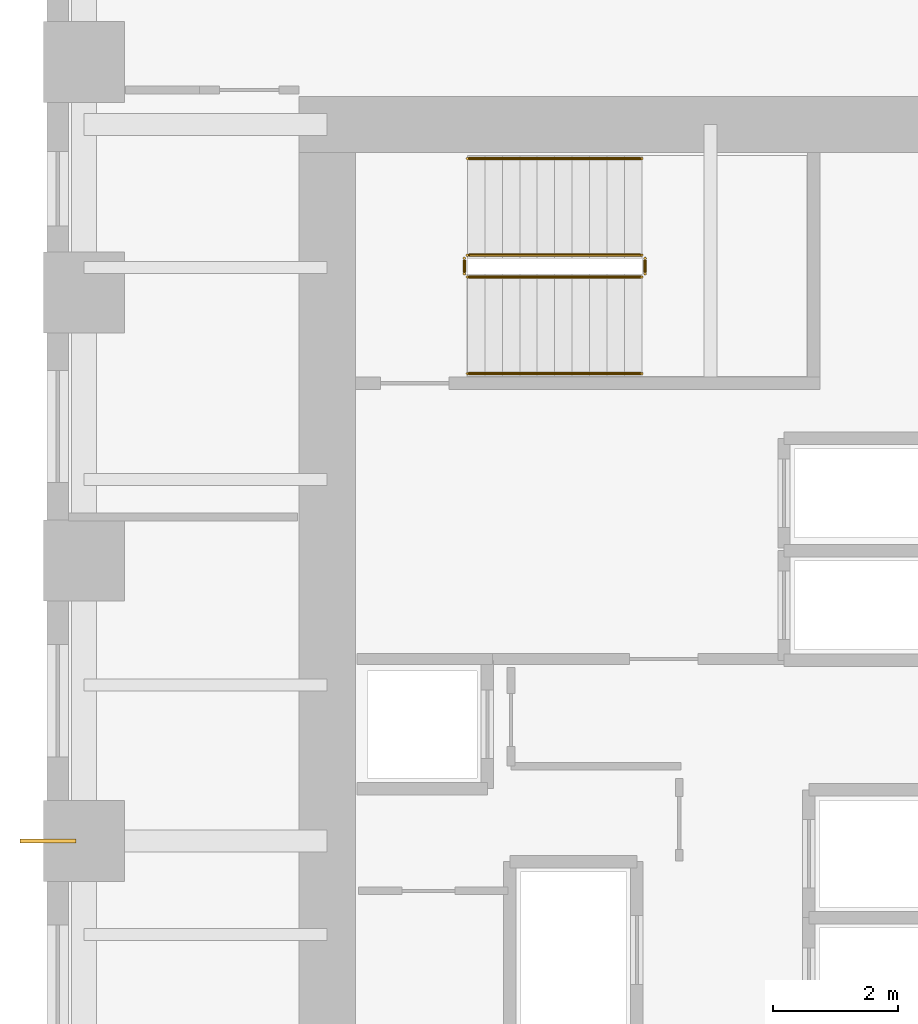
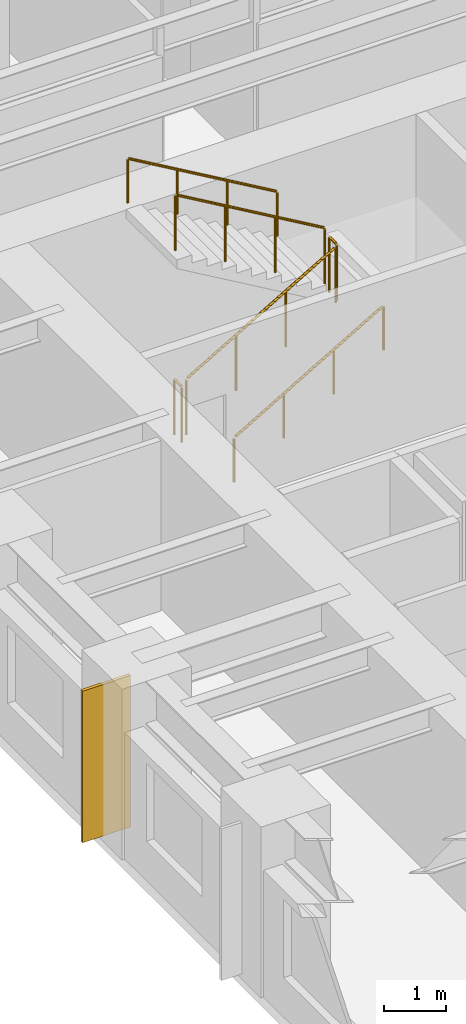
# One storey, part 11 of 12: 6 railings, 1 covering.
"""IFC4 building model written with IfcOpenShell, lengths in metres."""

from ifc_helpers import new_model, si_unit, direction, frame, origin, origin_2d, place, context, subcontext, project, spatial, rectangle, circle, extrude, source, transform, mapped, material, layer, layer_set, type_object, element, save


model = new_model("IFC4")

# Units and contexts
model_context = context("Model", 3, precision=1e-05, world=origin(), true_north=direction((0.0, 1.0)))
body_context = subcontext(model_context, "Body", "Model", "MODEL_VIEW")
ifc_project = project(units=[si_unit("LENGTHUNIT", "METRE"), si_unit("AREAUNIT", "SQUARE_METRE"), si_unit("VOLUMEUNIT", "CUBIC_METRE"), si_unit("PLANEANGLEUNIT", "RADIAN"), si_unit("MASSUNIT", "GRAM", prefix="KILO")], contexts=[model_context])

# Site, building, storey
site_placement = place(None, origin())
site = spatial("IfcSite", under=ifc_project, at=site_placement, CompositionType="ELEMENT")
building_placement = place(site_placement, origin())
building = spatial("IfcBuilding", under=site, at=building_placement, Name="Kharzan Plaza Tower", CompositionType="ELEMENT")
storey_placement = place(building_placement, frame((0.0, 0.0, 33.300048828125)))
storey = spatial("IfcBuildingStorey", under=building, at=storey_placement, Name="L08", CompositionType="ELEMENT", Elevation=33.300048828125)

# Railings
ifc_material_1 = material(Name="Painted Galvanized Architectural Steel", Category="steel")
ifc_layer_1 = layer(ifc_material_1, 0.074951171875)
ifc_layer_set_1 = layer_set([ifc_layer_1], Name="Painted Galvanized Architectural Steel")
railing_type_1 = type_object("IfcRailingType", Name="RL-GUARD-1120", PredefinedType="BALUSTRADE", material=ifc_layer_set_1)
shared_shape_1 = source(origin(), body_context, "Body", "SweptSolid", [
    extrude(circle(Radius=0.02392578125, at=origin_2d()), frame((0.0, 0.0263671875, 1.09619140625), z_axis=(0.0, 1.0, 0.0), x_axis=(-1.0, 0.0, 0.0)), (0.0, 0.0, 1.0), 0.197021484375),
    extrude(circle(Radius=0.02099609375, at=origin_2d()), origin(), (0.0, 0.0, 1.0), 1.072021484375),
    extrude(circle(Radius=0.02099609375, at=origin_2d()), frame((0.0, 0.25, 0.0)), (0.0, 0.0, 1.0), 1.072021484375),
])
for number, where, name in (
    (1, (9.60009765625, 27.10009765625, 1.800048828125), "L08 ST-2 stair guard 2"),
    (2, (6.699951171875, 27.10009765625, 0.0), "L08 ST-2 stair guard 4"),
):
    element("IfcRailing", number, at=place(storey_placement, frame(where)), inside=storey, type_object=railing_type_1, Name=name, PredefinedType="BALUSTRADE", context=body_context, shape_type="MappedRepresentation", body=[
        mapped(shared_shape_1, transform((0.0, 0.0, 0.0), x_axis=(1.0, 0.0, 0.0), y_axis=(0.0, 1.0, 0.0), z_axis=(0.0, 0.0, 1.0))),
    ])

# Covering
ifc_material_2 = material(Name="Honed Riyadh Limestone", Category="masonry")
ifc_layer_2 = layer(ifc_material_2, 0.06005859375)
ifc_layer_set_2 = layer_set([ifc_layer_2], Name="Honed Riyadh Limestone")
covering_type = type_object("IfcCoveringType", Name="COV-CLAD-STONE", PredefinedType="CLADDING", material=ifc_layer_set_2)
shared_shape_2 = source(origin(), body_context, "Body", "SweptSolid", [
    extrude(rectangle(XDim=0.06005859375, YDim=0.89990234375, at=origin_2d()), origin(), (0.0, 0.0, 1.0), 3.0),
])
covering_placement = place(storey_placement, frame((0.02001953125, 18.0, 0.099853515625), z_axis=(0.0, 0.0, 1.0), x_axis=(0.0, 1.0, 0.0)))
element("IfcCovering", 3, at=covering_placement, inside=storey, type_object=covering_type, Name="L08 Limestone Pier Rainscreen Cladding TCW-180", PredefinedType="CLADDING", context=body_context, shape_type="MappedRepresentation", body=[
    mapped(shared_shape_2, transform((0.0, 0.0, 0.0), x_axis=(1.0, 0.0, 0.0), y_axis=(0.0, 1.0, 0.0), z_axis=(0.0, 0.0, 1.0))),
])

# Railings
shared_shape_3 = source(origin(), body_context, "Body", "SweptSolid", [
    extrude(circle(Radius=0.02392578125, at=origin_2d()), frame((0.02294921875, 0.0, 1.109375), z_axis=(0.863360870873, 0.0, 0.504586966384), x_axis=(0.0, 1.0, 0.0)), (0.0, 0.0, 1.0), 3.190185546875),
    extrude(circle(Radius=0.02099609375, at=origin_2d()), origin(), (0.0, 0.0, 1.0), 1.072021484375),
    extrude(circle(Radius=0.02099609375, at=origin_2d()), frame((0.933349609375, 0.0, 0.54541015625)), (0.0, 0.0, 1.0), 1.072021484375),
    extrude(circle(Radius=0.02099609375, at=origin_2d()), frame((1.86669921875, 0.0, 1.091064453125)), (0.0, 0.0, 1.0), 1.072021484375),
    extrude(circle(Radius=0.02099609375, at=origin_2d()), frame((2.800048828125, 0.0, 1.636474609375)), (0.0, 0.0, 1.0), 1.072021484375),
])
railing_1_placement = place(storey_placement, frame((6.75, 27.050048828125, 0.16357421875)))
element("IfcRailing", 4, at=railing_1_placement, inside=storey, type_object=railing_type_1, Name="L08 ST-2 stair guard 1", PredefinedType="BALUSTRADE", context=body_context, shape_type="MappedRepresentation", body=[
    mapped(shared_shape_3, transform((0.0, 0.0, 0.0), x_axis=(1.0, 0.0, 0.0), y_axis=(0.0, 1.0, 0.0), z_axis=(0.0, 0.0, 1.0))),
])
ifc_material_3 = material(Name="Brushed Stainless Steel", Category="steel")
ifc_layer_3 = layer(ifc_material_3, 0.050048828125)
ifc_layer_set_3 = layer_set([ifc_layer_3], Name="Brushed Stainless Steel")
railing_type_2 = type_object("IfcRailingType", Name="RL-STAIR-HR920", PredefinedType="HANDRAIL", material=ifc_layer_set_3)
shared_shape_4 = source(origin(), body_context, "Body", "SweptSolid", [
    extrude(circle(Radius=0.02392578125, at=origin_2d()), frame((0.02294921875, 0.0, 0.88916015625), z_axis=(0.863360870873, 0.0, 0.504586966384), x_axis=(0.0, 1.0, 0.0)), (0.0, 0.0, 1.0), 3.190185546875),
    extrude(circle(Radius=0.02099609375, at=origin_2d()), origin(), (0.0, 0.0, 1.0), 0.851806640625),
    extrude(circle(Radius=0.02099609375, at=origin_2d()), frame((0.933349609375, 0.0, 0.54541015625)), (0.0, 0.0, 1.0), 0.851806640625),
    extrude(circle(Radius=0.02099609375, at=origin_2d()), frame((1.86669921875, 0.0, 1.091064453125)), (0.0, 0.0, 1.0), 0.851806640625),
    extrude(circle(Radius=0.02099609375, at=origin_2d()), frame((2.800048828125, 0.0, 1.636474609375)), (0.0, 0.0, 1.0), 0.851806640625),
])
railing_2_placement = place(storey_placement, frame((6.75, 25.5, 0.16357421875)))
element("IfcRailing", 5, at=railing_2_placement, inside=storey, type_object=railing_type_2, Name="L08 ST-2 stair handrail 1", PredefinedType="HANDRAIL", context=body_context, shape_type="MappedRepresentation", body=[
    mapped(shared_shape_4, transform((0.0, 0.0, 0.0), x_axis=(1.0, 0.0, 0.0), y_axis=(0.0, 1.0, 0.0), z_axis=(0.0, 0.0, 1.0))),
])
shared_shape_5 = source(origin(), body_context, "Body", "SweptSolid", [
    extrude(circle(Radius=0.02392578125, at=origin_2d()), frame((-0.02294921875, 0.0, 1.109375), z_axis=(-0.863393664356, 0.0, 0.504530851732), x_axis=(0.0, -1.0, 0.0)), (0.0, 0.0, 1.0), 3.190185546875),
    extrude(circle(Radius=0.02099609375, at=origin_2d()), origin(), (0.0, 0.0, 1.0), 1.072021484375),
    extrude(circle(Radius=0.02099609375, at=origin_2d()), frame((-0.933349609375, 0.0, 0.54541015625)), (0.0, 0.0, 1.0), 1.072021484375),
    extrude(circle(Radius=0.02099609375, at=origin_2d()), frame((-1.86669921875, 0.0, 1.0908203125)), (0.0, 0.0, 1.0), 1.072021484375),
    extrude(circle(Radius=0.02099609375, at=origin_2d()), frame((-2.800048828125, 0.0, 1.63623046875)), (0.0, 0.0, 1.0), 1.072021484375),
])
railing_3_placement = place(storey_placement, frame((9.550048828125, 27.39990234375, 1.963623046875)))
element("IfcRailing", 6, at=railing_3_placement, inside=storey, type_object=railing_type_1, Name="L08 ST-2 stair guard 3", PredefinedType="BALUSTRADE", context=body_context, shape_type="MappedRepresentation", body=[
    mapped(shared_shape_5, transform((0.0, 0.0, 0.0), x_axis=(1.0, 0.0, 0.0), y_axis=(0.0, 1.0, 0.0), z_axis=(0.0, 0.0, 1.0))),
])
shared_shape_6 = source(origin(), body_context, "Body", "SweptSolid", [
    extrude(circle(Radius=0.02392578125, at=origin_2d()), frame((-0.02294921875, 0.0, 0.88916015625), z_axis=(-0.863393664356, 0.0, 0.504530851732), x_axis=(0.0, -1.0, 0.0)), (0.0, 0.0, 1.0), 3.190185546875),
    extrude(circle(Radius=0.02099609375, at=origin_2d()), origin(), (0.0, 0.0, 1.0), 0.851806640625),
    extrude(circle(Radius=0.02099609375, at=origin_2d()), frame((-0.933349609375, 0.0, 0.54541015625)), (0.0, 0.0, 1.0), 0.851806640625),
    extrude(circle(Radius=0.02099609375, at=origin_2d()), frame((-1.86669921875, 0.0, 1.0908203125)), (0.0, 0.0, 1.0), 0.851806640625),
    extrude(circle(Radius=0.02099609375, at=origin_2d()), frame((-2.800048828125, 0.0, 1.63623046875)), (0.0, 0.0, 1.0), 0.851806640625),
])
railing_4_placement = place(storey_placement, frame((9.550048828125, 28.949951171875, 1.963623046875)))
element("IfcRailing", 7, at=railing_4_placement, inside=storey, type_object=railing_type_2, Name="L08 ST-2 stair handrail 2", PredefinedType="HANDRAIL", context=body_context, shape_type="MappedRepresentation", body=[
    mapped(shared_shape_6, transform((0.0, 0.0, 0.0), x_axis=(1.0, 0.0, 0.0), y_axis=(0.0, 1.0, 0.0), z_axis=(0.0, 0.0, 1.0))),
])

save(model, "model.ifc")
